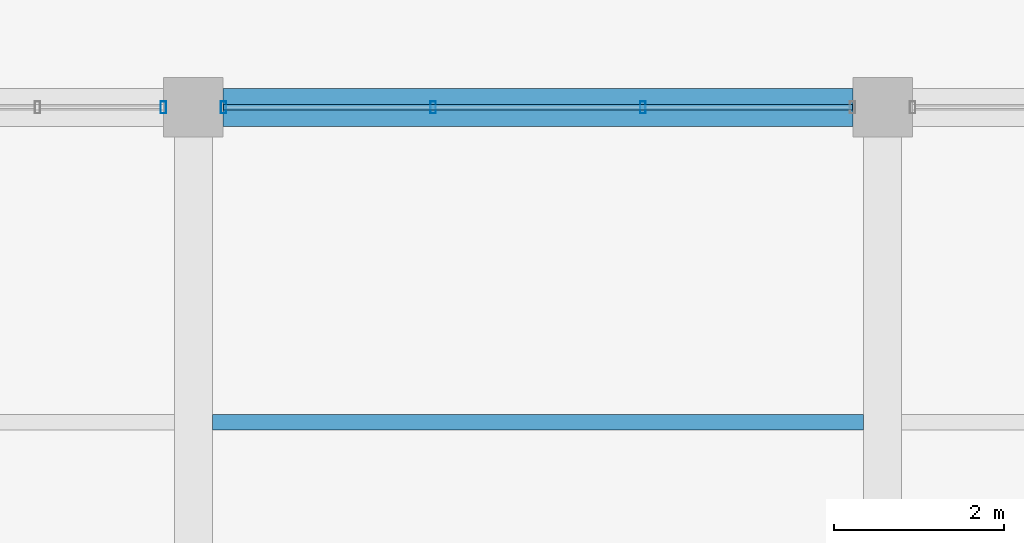
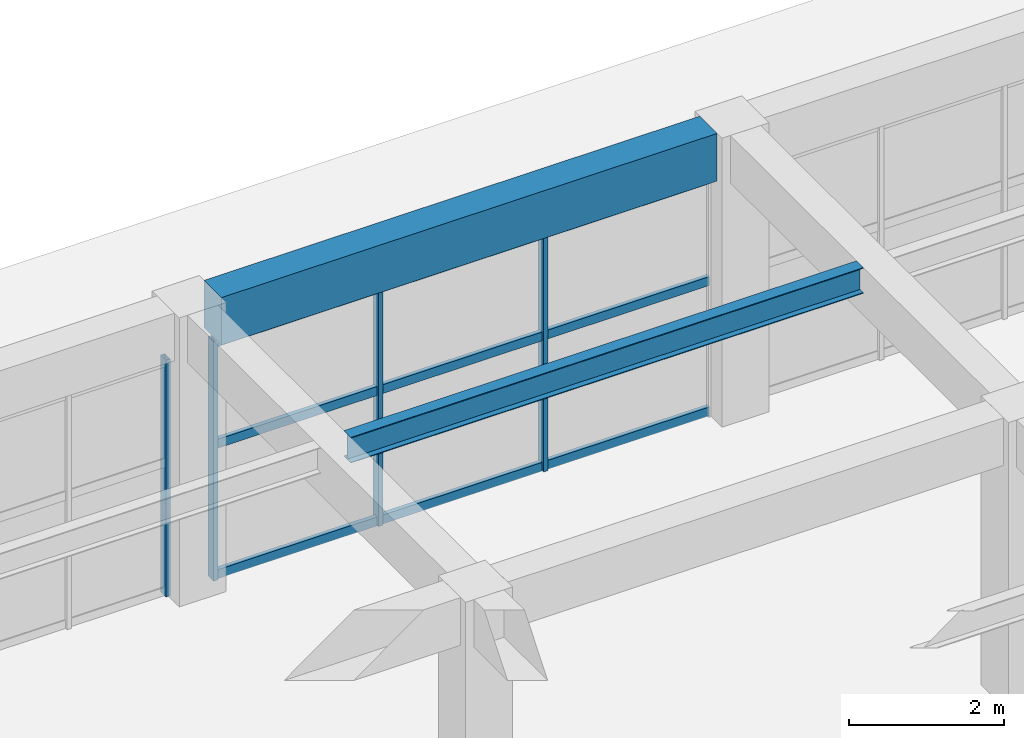
# One storey, part 23 of 161: 7 members, 2 beams, 2 elements without a shape of their own.
"""IFC4 building model written with IfcOpenShell, lengths in metres."""

from ifc_helpers import new_model, si_unit, direction, frame, origin, origin_2d, place, context, subcontext, project, spatial, rectangle, hollow_rectangle, i_section, extrude, material, material_profile, profile_set, type_object, element, aggregate, save


model = new_model("IFC4")

# Units and contexts
model_context = context("Model", 3, precision=1e-05, world=origin(), true_north=direction((0.0, 1.0)))
body_context = subcontext(model_context, "Body", "Model", "MODEL_VIEW")
ifc_project = project(units=[si_unit("LENGTHUNIT", "METRE"), si_unit("AREAUNIT", "SQUARE_METRE"), si_unit("VOLUMEUNIT", "CUBIC_METRE"), si_unit("PLANEANGLEUNIT", "RADIAN"), si_unit("MASSUNIT", "GRAM", prefix="KILO")], contexts=[model_context])

# Site, building, storey
site_placement = place(None, origin())
site = spatial("IfcSite", under=ifc_project, at=site_placement, CompositionType="ELEMENT")
building_placement = place(site_placement, origin())
building = spatial("IfcBuilding", under=site, at=building_placement, Name="Cimatlan Art Gallery", CompositionType="ELEMENT")
storey_placement = place(building_placement, frame((0.0, 0.0, 5.39990234375)))
storey = spatial("IfcBuildingStorey", under=building, at=storey_placement, Name="L01", CompositionType="ELEMENT", Elevation=5.39990234375)

# Beams
ifc_material_1 = material(Name="Concrete C40/50", Category="concrete")
ifc_material_profile_1 = material_profile(ifc_material_1, rectangle(XDim=0.449951171875, YDim=0.75, at=origin_2d()), Name="RC450X750")
ifc_profile_set_1 = profile_set([ifc_material_profile_1], Name="Concrete C40/50")
beam_type_1 = type_object("IfcBeamType", Name="BM-RC-450X750", PredefinedType="BEAM", material=ifc_profile_set_1)
beam_1_placement = place(storey_placement, frame((59.050048828125, 38.699951171875, 4.18505859375), z_axis=(1.0, 0.0, 0.0), x_axis=(0.0, 1.0, 0.0)))
element("IfcBeam", 1, at=beam_1_placement, inside=storey, type_object=beam_type_1, Name="BM-X-L01-07-05", PredefinedType="BEAM", context=body_context, shape_type="SweptSolid", body=[
    extrude(rectangle(XDim=0.449951171875, YDim=0.75, at=origin_2d()), origin(), (0.0, 0.0, 1.0), 7.39990234375),
])
ifc_material_2 = material(Name="Steel ASTM A992 Grade 50", Category="steel")
ifc_material_profile_2 = material_profile(ifc_material_2, i_section(OverallWidth=0.177978515625, OverallDepth=0.406982421875, WebThickness=0.0078125, FlangeThickness=0.0126953125, at=origin_2d()), Name="W16X40")
ifc_profile_set_2 = profile_set([ifc_material_profile_2], Name="Steel ASTM A992 Grade 50")
beam_type_2 = type_object("IfcBeamType", Name="BM-STL-W16X40", PredefinedType="JOIST", material=ifc_profile_set_2)
beam_2_placement = place(storey_placement, frame((58.925048828125, 35.0, 4.356689453125), z_axis=(1.0, 0.0, 0.0), x_axis=(0.0, 1.0, 0.0)))
element("IfcBeam", 2, at=beam_2_placement, inside=storey, type_object=beam_type_2, Name="JST-L01-07-04", PredefinedType="JOIST", context=body_context, shape_type="SweptSolid", body=[
    extrude(i_section(OverallWidth=0.177978515625, OverallDepth=0.406982421875, WebThickness=0.0078125, FlangeThickness=0.0126953125, at=origin_2d()), origin(), (0.0, 0.0, 1.0), 7.64990234375),
])

# Curtain wall, member
ifc_material_3 = material(Name="Anodised bronze unitised curtain wall")
curtain_wall_type_1 = type_object("IfcCurtainWallType", Name="CW-V-07392X03735-B5", PredefinedType="NOTDEFINED", material=ifc_material_3)
curtain_wall_1_placement = place(storey_placement, origin())
curtain_wall_1 = element("IfcCurtainWall", 3, at=curtain_wall_1_placement, inside=storey, type_object=curtain_wall_type_1, Name="CW-L01-06-04-N", PredefinedType="NOTDEFINED")
ifc_material_4 = material(Name="Anodised bronze aluminium 6063-T6", Category="aluminium")
ifc_material_profile_3 = material_profile(ifc_material_4, hollow_rectangle(XDim=0.06494140625, YDim=0.139892578125, WallThickness=0.00390625, at=origin_2d()), Name="ALU65X140X4")
ifc_profile_set_3 = profile_set([ifc_material_profile_3], Name="Anodised bronze aluminium 6063-T6")
member_type_1 = type_object("IfcMemberType", Name="CW-MUL-140", PredefinedType="MULLION", material=ifc_profile_set_3)
member_1_placement = place(storey_placement, frame((58.345947265625, 38.699951171875, 0.0), z_axis=(0.0, 0.0, 1.0), x_axis=(1.0, 0.0, 0.0)))
member_1 = element("IfcMember", 4, at=member_1_placement, type_object=member_type_1, Name="CW-L01-06-04-N-M6", PredefinedType="MULLION", context=body_context, shape_type="SweptSolid", body=[
    extrude(hollow_rectangle(XDim=0.06494140625, YDim=0.139892578125, WallThickness=0.00390625, at=origin_2d()), origin(), (0.0, 0.0, 1.0), 3.735107421875),
])
aggregate(curtain_wall_1, [member_1])

# Curtain wall, members
curtain_wall_type_2 = type_object("IfcCurtainWallType", Name="CW-V-07392X03780-B3", PredefinedType="NOTDEFINED", material=ifc_material_3)
curtain_wall_2_placement = place(storey_placement, origin())
curtain_wall_2 = element("IfcCurtainWall", 5, at=curtain_wall_2_placement, inside=storey, type_object=curtain_wall_type_2, Name="CW-L01-07-04-N", PredefinedType="NOTDEFINED")
member_2_placement = place(storey_placement, frame((59.053955078125, 38.699951171875, 0.0), z_axis=(0.0, 0.0, 1.0), x_axis=(1.0, 0.0, 0.0)))
member_2 = element("IfcMember", 6, at=member_2_placement, type_object=member_type_1, Name="CW-L01-07-04-N-M1", PredefinedType="MULLION", context=body_context, shape_type="SweptSolid", body=[
    extrude(hollow_rectangle(XDim=0.06494140625, YDim=0.139892578125, WallThickness=0.00390625, at=origin_2d()), origin(), (0.0, 0.0, 1.0), 3.780029296875),
])
member_3_placement = place(storey_placement, frame((61.51806640625, 38.699951171875, 0.0), z_axis=(0.0, 0.0, 1.0), x_axis=(1.0, 0.0, 0.0)))
member_3 = element("IfcMember", 7, at=member_3_placement, type_object=member_type_1, Name="CW-L01-07-04-N-M2", PredefinedType="MULLION", context=body_context, shape_type="SweptSolid", body=[
    extrude(hollow_rectangle(XDim=0.06494140625, YDim=0.139892578125, WallThickness=0.00390625, at=origin_2d()), origin(), (0.0, 0.0, 1.0), 3.780029296875),
])
member_4_placement = place(storey_placement, frame((63.98193359375, 38.699951171875, 0.0), z_axis=(0.0, 0.0, 1.0), x_axis=(1.0, 0.0, 0.0)))
member_4 = element("IfcMember", 8, at=member_4_placement, type_object=member_type_1, Name="CW-L01-07-04-N-M3", PredefinedType="MULLION", context=body_context, shape_type="SweptSolid", body=[
    extrude(hollow_rectangle(XDim=0.06494140625, YDim=0.139892578125, WallThickness=0.00390625, at=origin_2d()), origin(), (0.0, 0.0, 1.0), 3.780029296875),
])
ifc_material_profile_4 = material_profile(ifc_material_4, hollow_rectangle(XDim=0.06494140625, YDim=0.139892578125, WallThickness=0.00390625, at=origin_2d()), Name="ALU65X140X4")
ifc_profile_set_4 = profile_set([ifc_material_profile_4], Name="Anodised bronze aluminium 6063-T6")
member_type_2 = type_object("IfcMemberType", Name="CW-TRN-140", PredefinedType="USERDEFINED", material=ifc_profile_set_4)
member_5_placement = place(storey_placement, frame((59.053955078125, 38.699951171875, 0.06005859375), z_axis=(1.0, 0.0, 0.0), x_axis=(0.0, 1.0, 0.0)))
member_5 = element("IfcMember", 9, at=member_5_placement, type_object=member_type_2, Name="CW-L01-07-04-N-T1", ObjectType="TRANSOM", PredefinedType="USERDEFINED", context=body_context, shape_type="SweptSolid", body=[
    extrude(hollow_rectangle(XDim=0.06494140625, YDim=0.139892578125, WallThickness=0.00390625, at=origin_2d()), origin(), (0.0, 0.0, 1.0), 7.39208984375),
])
member_6_placement = place(storey_placement, frame((59.053955078125, 38.699951171875, 2.116943359375), z_axis=(1.0, 0.0, 0.0), x_axis=(0.0, 1.0, 0.0)))
member_6 = element("IfcMember", 10, at=member_6_placement, type_object=member_type_2, Name="CW-L01-07-04-N-T2", ObjectType="TRANSOM", PredefinedType="USERDEFINED", context=body_context, shape_type="SweptSolid", body=[
    extrude(hollow_rectangle(XDim=0.06494140625, YDim=0.139892578125, WallThickness=0.00390625, at=origin_2d()), origin(), (0.0, 0.0, 1.0), 7.39208984375),
])
member_7_placement = place(storey_placement, frame((59.053955078125, 38.699951171875, 3.72021484375), z_axis=(1.0, 0.0, 0.0), x_axis=(0.0, 1.0, 0.0)))
member_7 = element("IfcMember", 11, at=member_7_placement, type_object=member_type_2, Name="CW-L01-07-04-N-T3", ObjectType="TRANSOM", PredefinedType="USERDEFINED", context=body_context, shape_type="SweptSolid", body=[
    extrude(hollow_rectangle(XDim=0.06494140625, YDim=0.139892578125, WallThickness=0.00390625, at=origin_2d()), origin(), (0.0, 0.0, 1.0), 7.39208984375),
])
aggregate(curtain_wall_2, [member_2, member_3, member_4, member_5, member_6, member_7])

save(model, "model.ifc")
